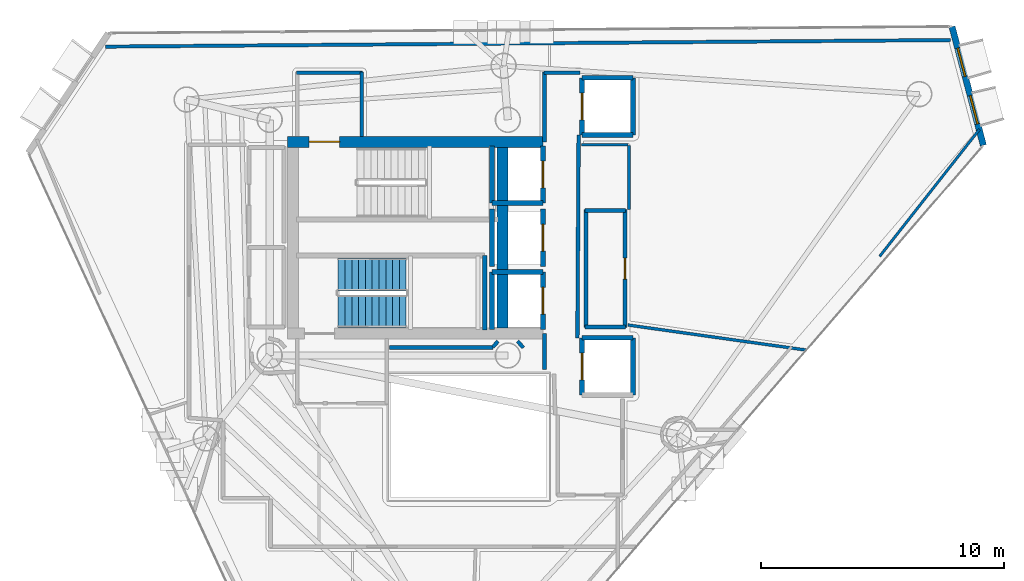
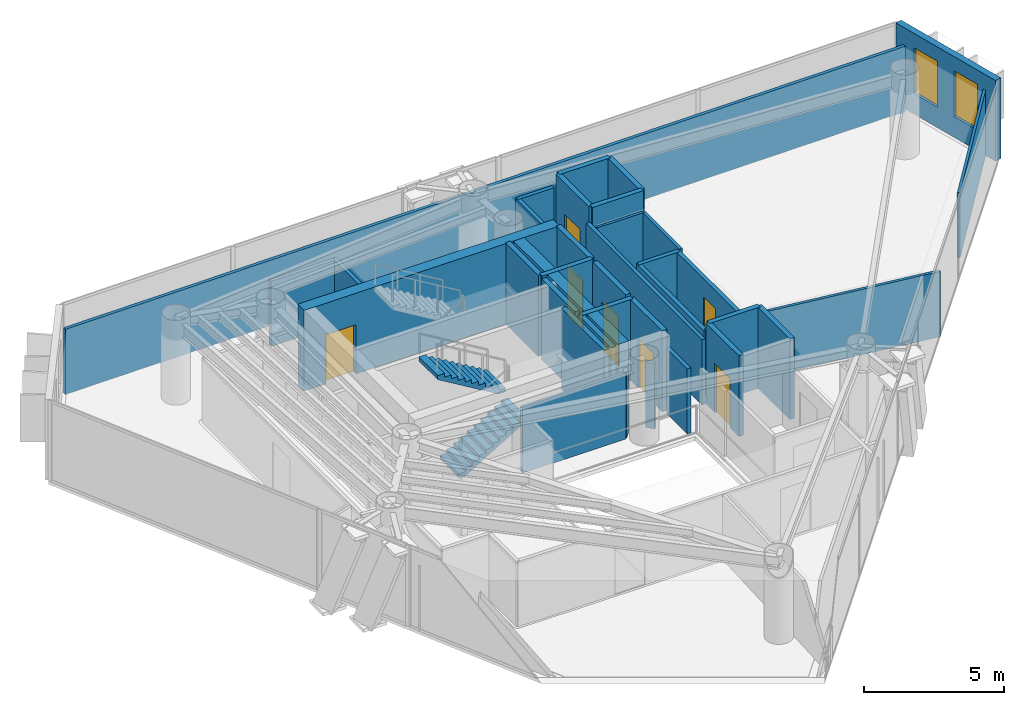
# One storey, part 16 of 21: 37 walls, 7 doors, 2 stair flights, 2 windows, 9 openings, 1 element without a shape of its own.
"""IFC4 building model written with IfcOpenShell, lengths in metres."""

import ifcopenshell
import ifcopenshell.guid

model = None  # the IFC model being written
_history = None  # IfcOwnerHistory: only IFC2X3 demands one
_inside = {}  # id of a spatial element -> (the spatial element, [elements in it])
_under = {}  # id of a project, library or spatial element -> (it, [spatial elements below it])
_declared = {}  # id of a project -> (the project, [libraries it declares])
_typed = {}  # id of a type object -> (the type object, [elements of that type])
_made_of = {}  # id of a material, layer set ... -> (it, [elements and type objects made of it])


def new_model(schema):
    """Start an empty IFC model of exactly this schema.

    Asked for "IFC4X3", IfcOpenShell would pick the latest addendum, in which some entities
    have other attributes; the version numbers below select the first issue.
    IFC2X3 requires an IfcOwnerHistory on every rooted entity: one is made here for all.
    """
    global model, _history
    if schema == "IFC4X3":
        model = ifcopenshell.file(schema_version=(4, 3, 0, 0))
    else:
        model = ifcopenshell.file(schema=schema)
    _inside.clear()
    _under.clear()
    _declared.clear()
    _typed.clear()
    _made_of.clear()
    _history = None
    if model.schema == "IFC2X3":
        org = make("IfcOrganization", Name="unknown")
        user = make(
            "IfcPersonAndOrganization",
            ThePerson=make("IfcPerson", FamilyName="unknown"),
            TheOrganization=org,
        )
        app = make(
            "IfcApplication",
            ApplicationDeveloper=org,
            Version="unknown",
            ApplicationFullName="unknown",
            ApplicationIdentifier="unknown",
        )
        _history = make(
            "IfcOwnerHistory",
            OwningUser=user,
            OwningApplication=app,
            ChangeAction="ADDED",
            CreationDate=0,
        )
    return model


def make(cls, **values):
    """One entity of the class cls with the attributes given. An attribute that is None is left unset."""
    return model.create_entity(
        cls, **{name: value for name, value in values.items() if value is not None}
    )


def rooted(cls, **values):
    """An entity with a GlobalId (a new one), such as an element, a storey or a relation."""
    return make(cls, GlobalId=ifcopenshell.guid.new(), OwnerHistory=_history, **values)


def si_unit(unit_type, name, prefix=None):
    """IfcSIUnit, for example si_unit("LENGTHUNIT", "METRE", prefix="MILLI")."""
    return make("IfcSIUnit", UnitType=unit_type, Prefix=prefix, Name=name)


def assignment(units):
    """IfcUnitAssignment: the units of a project."""
    return None if units is None else make("IfcUnitAssignment", Units=units)


def point(xyz):
    """IfcCartesianPoint."""
    return None if xyz is None else make("IfcCartesianPoint", Coordinates=xyz)


def direction(xyz):
    """IfcDirection."""
    return None if xyz is None else make("IfcDirection", DirectionRatios=xyz)


def frame(location, z_axis=None, x_axis=None):
    """IfcAxis2Placement3D, a coordinate frame: its origin and axes. An axis left out is left unset."""
    return make(
        "IfcAxis2Placement3D",
        Location=point(location),
        Axis=direction(z_axis),
        RefDirection=direction(x_axis),
    )


def frame_2d(location, x_axis=None):
    """IfcAxis2Placement2D, a coordinate frame in the plane: its origin and x axis."""
    return make(
        "IfcAxis2Placement2D", Location=point(location), RefDirection=direction(x_axis)
    )


def origin():
    """The frame at (0, 0, 0) with its axes left unset."""
    return frame((0.0, 0.0, 0.0))


def place(relative_to, where):
    """IfcLocalPlacement: puts the frame where relative to a parent placement (None: the world)."""
    return make(
        "IfcLocalPlacement", PlacementRelTo=relative_to, RelativePlacement=where
    )


def context(
    kind, dimensions, precision=None, world=None, true_north=None, identifier=None
):
    """IfcGeometricRepresentationContext, for example the 3D "Model" context."""
    return make(
        "IfcGeometricRepresentationContext",
        ContextIdentifier=identifier,
        ContextType=kind,
        CoordinateSpaceDimension=dimensions,
        Precision=precision,
        WorldCoordinateSystem=world,
        TrueNorth=true_north,
    )


def subcontext(parent, identifier, kind, view, scale=None):
    """IfcGeometricRepresentationSubContext, for example "Body" below "Model"."""
    return make(
        "IfcGeometricRepresentationSubContext",
        ContextIdentifier=identifier,
        ContextType=kind,
        ParentContext=parent,
        TargetScale=scale,
        TargetView=view,
    )


def project(units=None, contexts=None):
    """IfcProject with its units and contexts."""
    return rooted(
        "IfcProject",
        Name="project",
        RepresentationContexts=contexts,
        UnitsInContext=assignment(units),
    )


def spatial(cls, under=None, at=None, **own):
    """A site, building, storey or space (cls), placed at a placement, below another one or the project."""
    s = rooted(cls, ObjectPlacement=at, **own)
    if under is not None:
        _under.setdefault(under.id(), (under, []))[1].append(s)
    return s


def polyline(points):
    """IfcPolyline through the points."""
    return make("IfcPolyline", Points=[point(p) for p in points])


def profile(cls, at=None, kind="AREA", **sizes):
    """A parametric profile (cls). Its sizes go by their IFC names, for example OverallWidth=200.0."""
    return make(cls, ProfileType=kind, Position=at, **sizes)


def rectangle(**sizes):
    """IfcRectangleProfileDef."""
    return profile("IfcRectangleProfileDef", **sizes)


def outline(outer, holes=None, kind="AREA"):
    """IfcArbitraryClosedProfileDef: a profile drawn as a closed curve; with holes, ...WithVoids."""
    if holes is None:
        return make("IfcArbitraryClosedProfileDef", ProfileType=kind, OuterCurve=outer)
    return make(
        "IfcArbitraryProfileDefWithVoids",
        ProfileType=kind,
        OuterCurve=outer,
        InnerCurves=holes,
    )


def extrude(swept, where, along, depth):
    """IfcExtrudedAreaSolid: the profile swept, set in the frame where, extruded along a direction by depth."""
    return make(
        "IfcExtrudedAreaSolid",
        SweptArea=swept,
        Position=where,
        ExtrudedDirection=direction(along),
        Depth=depth,
    )


def shape(context_of_items, identifier, shape_type, items):
    """IfcShapeRepresentation: the items that make up one representation, for example the "Body"."""
    return make(
        "IfcShapeRepresentation",
        ContextOfItems=context_of_items,
        RepresentationIdentifier=identifier,
        RepresentationType=shape_type,
        Items=items,
    )


def material(Name=None, Category=None):
    """IfcMaterial."""
    return make("IfcMaterial", Name=Name, Category=Category)


def layer(
    of_material, thickness, ventilated=None, Name=None, Category=None, Priority=None
):
    """IfcMaterialLayer: one layer of a wall or slab, of a material (None: an air gap)."""
    return make(
        "IfcMaterialLayer",
        Material=of_material,
        LayerThickness=thickness,
        IsVentilated=ventilated,
        Name=Name,
        Category=Category,
        Priority=Priority,
    )


def layer_set(layers, Name=None):
    """IfcMaterialLayerSet."""
    return make("IfcMaterialLayerSet", MaterialLayers=layers, LayerSetName=Name)


def made_of(thing, what):
    """Note that an element or type object is made of a material, layer set ...; save() writes the relation."""
    if what is not None:
        _made_of.setdefault(what.id(), (what, []))[1].append(thing)
    return thing


def type_object(cls, material=None, **own):
    """A type object (cls), such as IfcWallType, which elements share."""
    return made_of(rooted(cls, **own), material)


def element(
    cls,
    number,
    at=None,
    inside=None,
    cuts=None,
    type_object=None,
    material=None,
    context=None,
    identifier="Body",
    shape_type=None,
    held_by="IfcProductDefinitionShape",
    body=None,
    shapes=None,
    **own,
):
    """One element of the class cls, such as IfcWall. Its Tag is "e" and its number.

    at: its placement. inside: the storey or other place that contains it. cuts: it is an
    opening in that element (IfcRelVoidsElement). A single representation is given by context,
    identifier, shape_type and body (its items); several are given by shapes. held_by: the class
    of the entity that holds the representations. save() writes the other relations.
    """
    e = rooted(cls, Tag="e%d" % number, ObjectPlacement=at, **own)
    if body is not None:
        shapes = [shape(context, identifier, shape_type, body)]
    if shapes is not None:
        e.Representation = make(held_by, Representations=shapes)
    if inside is not None:
        _inside.setdefault(inside.id(), (inside, []))[1].append(e)
    if cuts is not None:
        rooted(
            "IfcRelVoidsElement", RelatingBuildingElement=cuts, RelatedOpeningElement=e
        )
    if type_object is not None:
        _typed.setdefault(type_object.id(), (type_object, []))[1].append(e)
    return made_of(e, material)


def fill(opening, filler):
    """IfcRelFillsElement: the door or window that sits in an opening."""
    return rooted(
        "IfcRelFillsElement",
        RelatingOpeningElement=opening,
        RelatedBuildingElement=filler,
    )


def aggregate(whole, parts):
    """IfcRelAggregates: a whole, such as a stair, and the parts it consists of."""
    return rooted("IfcRelAggregates", RelatingObject=whole, RelatedObjects=parts)


def save(model, path):
    """Write the relations noted so far, then the file.

    IfcRelAggregates (storeys below a building ...), IfcRelContainedInSpatialStructure (elements
    in a storey), IfcRelDefinesByType, IfcRelAssociatesMaterial and IfcRelDeclares: one each for
    every whole, place, type object, material and project.
    """
    for whole, parts in _under.values():
        aggregate(whole, parts)
    for where, things in _inside.values():
        rooted(
            "IfcRelContainedInSpatialStructure",
            RelatedElements=things,
            RelatingStructure=where,
        )
    for kind, things in _typed.values():
        rooted("IfcRelDefinesByType", RelatedObjects=things, RelatingType=kind)
    for what, things in _made_of.values():
        rooted("IfcRelAssociatesMaterial", RelatedObjects=things, RelatingMaterial=what)
    for by, libraries in _declared.values():
        rooted("IfcRelDeclares", RelatingContext=by, RelatedDefinitions=libraries)
    model.write(path)


model = new_model("IFC4")

# Units and contexts
model_context = context("Model", 3, precision=1e-05, world=origin(), true_north=direction((0.0, 1.0)))
body_context = subcontext(model_context, "Body", "Model", "MODEL_VIEW")
ifc_project = project(units=[si_unit("LENGTHUNIT", "METRE"), si_unit("AREAUNIT", "SQUARE_METRE"), si_unit("VOLUMEUNIT", "CUBIC_METRE"), si_unit("PLANEANGLEUNIT", "RADIAN"), si_unit("MASSUNIT", "GRAM", prefix="KILO")], contexts=[model_context])

# Site, building, storey
site_placement = place(None, origin())
site = spatial("IfcSite", under=ifc_project, at=site_placement, CompositionType="ELEMENT")
building_placement = place(site_placement, origin())
building = spatial("IfcBuilding", under=site, at=building_placement, Name="Qianvela Tower", CompositionType="ELEMENT")
storey_placement = place(building_placement, frame((0.0, 0.0, 253.800048828125)))
storey = spatial("IfcBuildingStorey", under=building, at=storey_placement, Name="L65", CompositionType="ELEMENT", Elevation=253.800048828125)

# Wall, openings, windows
ifc_material_1 = material(Name="Terracotta Cladding on Concrete C40", Category="masonry")
ifc_layer_1 = layer(ifc_material_1, 0.260009765625)
ifc_layer_set_1 = layer_set([ifc_layer_1], Name="Terracotta Cladding on Concrete C40")
wall_type_1 = type_object("IfcWallType", Name="TERRACOTTA-WALL-260", PredefinedType="SOLIDWALL", material=ifc_layer_set_1)
wall_1_placement = place(storey_placement, frame((57.9697265625, 32.4990234375, 0.0), z_axis=(0.0, 0.0, 1.0), x_axis=(-0.255023735683, 0.966934793168, 0.0)))
wall_1 = element("IfcWall", 1, at=wall_1_placement, inside=storey, type_object=wall_type_1, Name="L65 Terracotta Chamfer Facet Wall 1", PredefinedType="SOLIDWALL", context=body_context, shape_type="SweptSolid", body=[
    extrude(rectangle(XDim=5.0517578125, YDim=0.260009765625, at=frame_2d((2.52587890625, 0.0))), origin(), (0.0, 0.0, 1.0), 3.52001953125),
])
opening_1_placement = place(wall_1_placement, frame((0.91552734375, 0.0, 0.89990234375)))
opening_1 = element("IfcOpeningElement", 2, at=opening_1_placement, cuts=wall_1, Name="Opening W-03", PredefinedType="OPENING", context=body_context, shape_type="SweptSolid", body=[
    extrude(rectangle(XDim=1.199951171875, YDim=2.0, at=frame_2d((0.60009765625, 1.0))), frame((0.0, 0.139892578125, 0.0), z_axis=(0.0, -1.0, 0.0), x_axis=(1.0, 0.0, 0.0)), (0.0, 0.0, 1.0), 0.280029296875),
])
opening_2_placement = place(wall_1_placement, frame((2.936279296875, 0.0, 0.89990234375)))
opening_2 = element("IfcOpeningElement", 3, at=opening_2_placement, cuts=wall_1, Name="Opening W-03", PredefinedType="OPENING", context=body_context, shape_type="SweptSolid", body=[
    extrude(rectangle(XDim=1.199951171875, YDim=2.0, at=frame_2d((0.60009765625, 1.0))), frame((0.0, 0.139892578125, 0.0), z_axis=(0.0, -1.0, 0.0), x_axis=(1.0, 0.0, 0.0)), (0.0, 0.0, 1.0), 0.280029296875),
])
ifc_material_2 = material(Name="Thermally Broken Aluminium and Low-E Glass", Category="aluminium")
window_type = type_object("IfcWindowType", Name="WIN-TC-1200x2000", PartitioningType="SINGLE_PANEL", PredefinedType="WINDOW", material=ifc_material_2)
window_1_placement = place(opening_1_placement, origin())
window_1 = element("IfcWindow", 4, at=window_1_placement, inside=storey, type_object=window_type, Name="L65 Chamfer Facet Window 1.1", OverallHeight=2.0, OverallWidth=1.199951171875, PartitioningType="SINGLE_PANEL", PredefinedType="WINDOW", context=body_context, shape_type="SweptSolid", body=[
    extrude(rectangle(XDim=1.199951171875, YDim=2.0, at=frame_2d((0.60009765625, 1.0))), frame((0.0, 0.030029296875, 0.0), z_axis=(0.0, -1.0, 0.0), x_axis=(1.0, 0.0, 0.0)), (0.0, 0.0, 1.0), 0.06005859375),
])
fill(opening_1, window_1)
window_2_placement = place(opening_2_placement, origin())
window_2 = element("IfcWindow", 5, at=window_2_placement, inside=storey, type_object=window_type, Name="L65 Chamfer Facet Window 1.2", OverallHeight=2.0, OverallWidth=1.199951171875, PartitioningType="SINGLE_PANEL", PredefinedType="WINDOW", context=body_context, shape_type="SweptSolid", body=[
    extrude(rectangle(XDim=1.199951171875, YDim=2.0, at=frame_2d((0.60009765625, 1.0))), frame((0.0, 0.030029296875, 0.0), z_axis=(0.0, -1.0, 0.0), x_axis=(1.0, 0.0, 0.0)), (0.0, 0.0, 1.0), 0.06005859375),
])
fill(opening_2, window_2)

# Wall, opening, door
ifc_material_3 = material(Name="Concrete C50", Category="concrete")
ifc_layer_2 = layer(ifc_material_3, 0.449951171875)
ifc_layer_set_2 = layer_set([ifc_layer_2], Name="Concrete C50")
wall_type_2 = type_object("IfcWallType", Name="WT-CORE-450", PredefinedType="SHEAR", material=ifc_layer_set_2)
wall_2_placement = place(storey_placement, frame((29.330078125, 32.64501953125, 0.0), z_axis=(0.0, 0.0, 1.0), x_axis=(1.0, 0.0, 0.0)))
wall_2 = element("IfcWall", 6, at=wall_2_placement, inside=storey, type_object=wall_type_2, Name="L65 North Core Shear Wall", PredefinedType="SHEAR", context=body_context, shape_type="SweptSolid", body=[
    extrude(rectangle(XDim=10.52001953125, YDim=0.449951171875, at=frame_2d((5.260009765625, 0.0))), origin(), (0.0, 0.0, 1.0), 3.52001953125),
])
opening_3_placement = place(wall_2_placement, frame((0.89501953125, 0.0, 0.0)))
opening_3 = element("IfcOpeningElement", 7, at=opening_3_placement, cuts=wall_2, Name="Opening D-ST1", PredefinedType="OPENING", context=body_context, shape_type="SweptSolid", body=[
    extrude(rectangle(XDim=1.25, YDim=2.14990234375, at=frame_2d((0.625, 1.074951171875))), frame((0.0, 0.23486328125, 0.0), z_axis=(0.0, -1.0, 0.0), x_axis=(1.0, 0.0, 0.0)), (0.0, 0.0, 1.0), 0.469970703125),
])
ifc_material_4 = material(Name="Galvanised Fire Steel Q355B", Category="steel")
door_type_1 = type_object("IfcDoorType", Name="DT-STAIR-FD90", OperationType="NOTDEFINED", PredefinedType="DOOR", material=ifc_material_4)
door_1_placement = place(opening_3_placement, origin())
door_1 = element("IfcDoor", 8, at=door_1_placement, inside=storey, type_object=door_type_1, Name="L65 Stair ST-1 Exit Door", OperationType="SINGLE_SWING_RIGHT", OverallHeight=2.14990234375, OverallWidth=1.25, PredefinedType="DOOR", context=body_context, shape_type="SweptSolid", body=[
    extrude(rectangle(XDim=1.25, YDim=2.14990234375, at=frame_2d((0.625, 1.074951171875))), frame((0.0, 0.02490234375, 0.0), z_axis=(0.0, -1.0, 0.0), x_axis=(1.0, 0.0, 0.0)), (0.0, 0.0, 1.0), 0.050048828125),
])
fill(opening_3, door_1)

# Walls
wall_3_placement = place(storey_placement, frame((38.179931640625, 24.97998046875, 0.0), z_axis=(0.0, 0.0, 1.0), x_axis=(0.0, 1.0, 0.0)))
element("IfcWall", 9, at=wall_3_placement, inside=storey, type_object=wall_type_2, Name="L65 East Spine Core Shear Wall", PredefinedType="SHEAR", context=body_context, shape_type="SweptSolid", body=[
    extrude(rectangle(XDim=7.43994140625, YDim=0.449951171875, at=frame_2d((3.719970703125, 0.0))), origin(), (0.0, 0.0, 1.0), 3.52001953125),
])
ifc_material_5 = material(Name="Fire-Rated Acoustic Gypsum Board")
ifc_layer_3 = layer(ifc_material_5, 0.14990234375)
ifc_layer_set_3 = layer_set([ifc_layer_3], Name="Fire-Rated Acoustic Gypsum Board")
wall_type_3 = type_object("IfcWallType", Name="WT-CORR-150", PredefinedType="PARTITIONING", material=ifc_layer_set_3)
wall_4_placement = place(storey_placement, frame((29.699951171875, 35.489013671875, 0.0), z_axis=(0.0, 0.0, 1.0), x_axis=(1.0, 0.0, 0.0)))
element("IfcWall", 10, at=wall_4_placement, inside=storey, type_object=wall_type_3, Name="L65 Partition 3", PredefinedType="PARTITIONING", context=body_context, shape_type="SweptSolid", body=[
    extrude(rectangle(XDim=2.719970703125, YDim=0.14990234375, at=frame_2d((1.35986328125, 0.0))), origin(), (0.0, 0.0, 1.0), 2.83984375),
])
wall_5_placement = place(storey_placement, frame((32.388916015625, 35.52001953125, 0.0), z_axis=(0.0, 0.0, 1.0), x_axis=(0.0, -1.0, 0.0)))
element("IfcWall", 11, at=wall_5_placement, inside=storey, type_object=wall_type_3, Name="L65 Partition 4", PredefinedType="PARTITIONING", context=body_context, shape_type="SweptSolid", body=[
    extrude(rectangle(XDim=2.662109375, YDim=0.14990234375, at=frame_2d((1.3310546875, 0.0))), origin(), (0.0, 0.0, 1.0), 2.83984375),
])
wall_6_placement = place(storey_placement, frame((39.910888671875, 23.280029296875, 0.0), z_axis=(0.0, 0.0, 1.0), x_axis=(0.0, 1.0, 0.0)))
element("IfcWall", 12, at=wall_6_placement, inside=storey, type_object=wall_type_3, Name="L65 Partition 10", PredefinedType="PARTITIONING", context=body_context, shape_type="SweptSolid", body=[
    extrude(rectangle(XDim=1.47998046875, YDim=0.14990234375, at=frame_2d((0.739990234375, 0.0))), origin(), (0.0, 0.0, 1.0), 2.83984375),
])
wall_7_placement = place(storey_placement, frame((39.910888671875, 32.639892578125, 0.0), z_axis=(0.0, 0.0, 1.0), x_axis=(0.0, 1.0, 0.0)))
element("IfcWall", 13, at=wall_7_placement, inside=storey, type_object=wall_type_3, Name="L65 Partition 12", PredefinedType="PARTITIONING", context=body_context, shape_type="SweptSolid", body=[
    extrude(rectangle(XDim=2.880126953125, YDim=0.14990234375, at=frame_2d((1.43994140625, 0.0))), origin(), (0.0, 0.0, 1.0), 2.83984375),
])
wall_8_placement = place(storey_placement, frame((39.8798828125, 35.489013671875, 0.0), z_axis=(0.0, 0.0, 1.0), x_axis=(1.0, 0.0, 0.0)))
element("IfcWall", 14, at=wall_8_placement, inside=storey, type_object=wall_type_3, Name="L65 Partition 13", PredefinedType="PARTITIONING", context=body_context, shape_type="SweptSolid", body=[
    extrude(rectangle(XDim=1.480224609375, YDim=0.14990234375, at=frame_2d((0.740234375, 0.0))), origin(), (0.0, 0.0, 1.0), 2.83984375),
])
wall_9_placement = place(storey_placement, frame((41.3134765625, 32.919921875, 0.0), z_axis=(0.0, 0.0, 1.0), x_axis=(-0.005942518022, -0.999982343084, 0.0)))
element("IfcWall", 15, at=wall_9_placement, inside=storey, type_object=wall_type_3, Name="L65 Partition 14 seg 2", PredefinedType="PARTITIONING", context=body_context, shape_type="SweptSolid", body=[
    extrude(rectangle(XDim=8.340087890625, YDim=0.14990234375, at=frame_2d((4.169921875, 0.0))), origin(), (0.0, 0.0, 1.0), 2.83984375),
])
wall_10_placement = place(storey_placement, frame((39.0361328125, 24.170166015625, 0.0), z_axis=(0.0, 0.0, 1.0), x_axis=(-0.652260263346, 0.757995084984, 0.0)))
element("IfcWall", 16, at=wall_10_placement, inside=storey, type_object=wall_type_3, Name="L65 Partition 45", PredefinedType="PARTITIONING", context=body_context, shape_type="SweptSolid", body=[
    extrude(rectangle(XDim=0.35546875, YDim=0.14990234375, at=frame_2d((0.177734375, 0.0))), origin(), (0.0, 0.0, 1.0), 2.83984375),
])
wall_11_placement = place(storey_placement, frame((37.995849609375, 24.439697265625, 0.0), z_axis=(0.0, 0.0, 1.0), x_axis=(-0.652425645794, -0.757852740782, 0.0)))
element("IfcWall", 17, at=wall_11_placement, inside=storey, type_object=wall_type_3, Name="L65 Partition 48", PredefinedType="PARTITIONING", context=body_context, shape_type="SweptSolid", body=[
    extrude(rectangle(XDim=0.319580078125, YDim=0.14990234375, at=frame_2d((0.15966796875, 0.0))), origin(), (0.0, 0.0, 1.0), 2.83984375),
])
wall_12_placement = place(storey_placement, frame((37.787353515625, 24.180908203125, 0.0), z_axis=(0.0, 0.0, 1.0), x_axis=(-1.0, 0.0, 0.0)))
element("IfcWall", 18, at=wall_12_placement, inside=storey, type_object=wall_type_3, Name="L65 Partition 49", PredefinedType="PARTITIONING", context=body_context, shape_type="SweptSolid", body=[
    extrude(rectangle(XDim=4.25732421875, YDim=0.14990234375, at=frame_2d((2.128662109375, 0.0))), origin(), (0.0, 0.0, 1.0), 2.83984375),
])
ifc_material_6 = material(Name="Lightweight Gypsum Room Partition")
ifc_layer_4 = layer(ifc_material_6, 0.10498046875)
ifc_layer_set_4 = layer_set([ifc_layer_4], Name="Lightweight Gypsum Room Partition")
wall_type_4 = type_object("IfcWallType", Name="WT-PART-105", PredefinedType="PARTITIONING", material=ifc_layer_set_4)
wall_13_placement = place(storey_placement, frame((57.8125, 33.159912109375, 0.0), z_axis=(0.0, 0.0, 1.0), x_axis=(-0.617935019534, -0.786229172464, 0.0)))
element("IfcWall", 19, at=wall_13_placement, inside=storey, type_object=wall_type_4, Name="L65 Partition 101 seg 1", PredefinedType="PARTITIONING", context=body_context, shape_type="SweptSolid", body=[
    extrude(rectangle(XDim=6.6513671875, YDim=0.10498046875, at=frame_2d((3.32568359375, 0.0))), origin(), (0.0, 0.0, 1.0), 2.83984375),
])
wall_14_placement = place(storey_placement, frame((43.35009765625, 32.531005859375, 0.0), z_axis=(0.0, 0.0, 1.0), x_axis=(-1.0, 0.0, 0.0)))
element("IfcWall", 20, at=wall_14_placement, inside=storey, type_object=wall_type_4, Name="L65 Partition 104", PredefinedType="PARTITIONING", context=body_context, shape_type="SweptSolid", body=[
    extrude(rectangle(XDim=1.91015625, YDim=0.10498046875, at=frame_2d((0.955078125, 0.0))), origin(), (0.0, 0.0, 1.0), 2.83984375),
])
ifc_material_7 = material(Name="Insulated Gypsum Stud Partition")
ifc_layer_5 = layer(ifc_material_7, 0.1201171875)
ifc_layer_set_5 = layer_set([ifc_layer_5], Name="Insulated Gypsum Stud Partition")
wall_type_5 = type_object("IfcWallType", Name="WT-PART-120", PredefinedType="PARTITIONING", material=ifc_layer_set_5)
wall_15_placement = place(storey_placement, frame((43.345703125, 25.104736328125, 0.0), z_axis=(0.0, 0.0, 1.0), x_axis=(0.990268892061, -0.139167242611, 0.0)))
element("IfcWall", 21, at=wall_15_placement, inside=storey, type_object=wall_type_5, Name="L65 Partition 82", PredefinedType="PARTITIONING", context=body_context, shape_type="SweptSolid", body=[
    extrude(rectangle(XDim=7.43115234375, YDim=0.1201171875, at=frame_2d((3.715576171875, 0.0))), origin(), (0.0, 0.0, 1.0), 2.83984375),
])
wall_16_placement = place(storey_placement, frame((43.381103515625, 29.85009765625, 0.0), z_axis=(0.0, 0.0, 1.0), x_axis=(0.0, 1.0, 0.0)))
element("IfcWall", 22, at=wall_16_placement, inside=storey, type_object=wall_type_5, Name="L65 Partition 103 seg 1", PredefinedType="PARTITIONING", context=body_context, shape_type="SweptSolid", body=[
    extrude(rectangle(XDim=2.64990234375, YDim=0.1201171875, at=frame_2d((1.324951171875, 0.0))), origin(), (0.0, 0.0, 1.0), 2.83984375),
])
ifc_material_8 = material(Name="Sanitary Service Chase Partition")
ifc_layer_6 = layer(ifc_material_8, 0.1650390625)
ifc_layer_set_6 = layer_set([ifc_layer_6], Name="Sanitary Service Chase Partition")
wall_type_6 = type_object("IfcWallType", Name="WT-PLUMB-165", PredefinedType="PLUMBINGWALL", material=ifc_layer_set_6)
wall_17_placement = place(storey_placement, frame((43.25, 25.031005859375, 0.0), z_axis=(0.0, 0.0, 1.0), x_axis=(-1.0, 0.0, 0.0)))
element("IfcWall", 23, at=wall_17_placement, inside=storey, type_object=wall_type_6, Name="L65 Partition 19", PredefinedType="PLUMBINGWALL", context=body_context, shape_type="SweptSolid", body=[
    extrude(rectangle(XDim=1.669921875, YDim=0.1650390625, at=frame_2d((0.8349609375, 0.0))), origin(), (0.0, 0.0, 1.0), 2.83984375),
])
wall_18_placement = place(storey_placement, frame((41.611083984375, 25.0, 0.0), z_axis=(0.0, 0.0, 1.0), x_axis=(0.0, 1.0, 0.0)))
element("IfcWall", 24, at=wall_18_placement, inside=storey, type_object=wall_type_6, Name="L65 Partition 20", PredefinedType="PLUMBINGWALL", context=body_context, shape_type="SweptSolid", body=[
    extrude(rectangle(XDim=4.85009765625, YDim=0.1650390625, at=frame_2d((2.425048828125, 0.0))), origin(), (0.0, 0.0, 1.0), 2.83984375),
])
wall_19_placement = place(storey_placement, frame((41.580078125, 29.819091796875, 0.0), z_axis=(0.0, 0.0, 1.0), x_axis=(1.0, 0.0, 0.0)))
element("IfcWall", 25, at=wall_19_placement, inside=storey, type_object=wall_type_6, Name="L65 Partition 21", PredefinedType="PLUMBINGWALL", context=body_context, shape_type="SweptSolid", body=[
    extrude(rectangle(XDim=1.669921875, YDim=0.1650390625, at=frame_2d((0.8349609375, 0.0))), origin(), (0.0, 0.0, 1.0), 2.83984375),
])

# Wall, opening, door
wall_20_placement = place(storey_placement, frame((43.218994140625, 29.85009765625, 0.0), z_axis=(0.0, 0.0, 1.0), x_axis=(0.0, -1.0, 0.0)))
wall_20 = element("IfcWall", 26, at=wall_20_placement, inside=storey, type_object=wall_type_6, Name="L65 Partition 22", PredefinedType="PLUMBINGWALL", context=body_context, shape_type="SweptSolid", body=[
    extrude(rectangle(XDim=4.85009765625, YDim=0.1650390625, at=frame_2d((2.425048828125, 0.0))), origin(), (0.0, 0.0, 1.0), 2.83984375),
])
opening_4_placement = place(wall_20_placement, frame((1.9951171875, 0.0, 0.0)))
opening_4 = element("IfcOpeningElement", 27, at=opening_4_placement, cuts=wall_20, Name="Opening D-WC1", PredefinedType="OPENING", context=body_context, shape_type="SweptSolid", body=[
    extrude(rectangle(XDim=0.860107421875, YDim=2.050048828125, at=frame_2d((0.43017578125, 1.02490234375))), frame((0.0, 0.092529296875, 0.0), z_axis=(0.0, -1.0, 0.0), x_axis=(1.0, 0.0, 0.0)), (0.0, 0.0, 1.0), 0.18505859375),
])
ifc_material_9 = material(Name="Moisture-Sealed Acoustic Timber Door", Category="wood")
door_type_2 = type_object("IfcDoorType", Name="DT-WC-860", OperationType="NOTDEFINED", PredefinedType="DOOR", material=ifc_material_9)
door_2_placement = place(opening_4_placement, origin())
door_2 = element("IfcDoor", 28, at=door_2_placement, inside=storey, type_object=door_type_2, Name="L65 Door L65 Accessible WC to Print Copy Kiosk L65-04", OperationType="SINGLE_SWING_LEFT", OverallHeight=2.050048828125, OverallWidth=0.860107421875, PredefinedType="DOOR", context=body_context, shape_type="SweptSolid", body=[
    extrude(rectangle(XDim=0.860107421875, YDim=2.050048828125, at=frame_2d((0.43017578125, 1.02490234375))), frame((0.0, 0.02490234375, 0.0), z_axis=(0.0, -1.0, 0.0), x_axis=(1.0, 0.0, 0.0)), (0.0, 0.0, 1.0), 0.050048828125),
])
fill(opening_4, door_2)

# Walls
ifc_material_10 = material(Name="Acoustic Double Gypsum Stud Partition")
ifc_layer_7 = layer(ifc_material_10, 0.139892578125)
ifc_layer_set_7 = layer_set([ifc_layer_7], Name="Acoustic Double Gypsum Stud Partition")
wall_type_7 = type_object("IfcWallType", Name="WT-ROOM-140", PredefinedType="PARTITIONING", material=ifc_layer_set_7)
wall_21_placement = place(storey_placement, frame((21.85302734375, 36.56103515625, 0.0), z_axis=(0.0, 0.0, 1.0), x_axis=(0.999969554507, 0.007803208298, 0.0)))
element("IfcWall", 29, at=wall_21_placement, inside=storey, type_object=wall_type_7, Name="L65 Partition 99", PredefinedType="PARTITIONING", context=body_context, shape_type="SweptSolid", body=[
    extrude(rectangle(XDim=34.760009765625, YDim=0.139892578125, at=frame_2d((17.3798828125, 0.0))), origin(), (0.0, 0.0, 1.0), 2.83984375),
])
ifc_material_11 = material(Name="Concrete C50", Category="concrete")
ifc_layer_8 = layer(ifc_material_11, 0.199951171875)
ifc_layer_set_8 = layer_set([ifc_layer_8], Name="Concrete C50")
wall_type_8 = type_object("IfcWallType", Name="WT-SHAFT-200", PredefinedType="SOLIDWALL", material=ifc_layer_set_8)
wall_22_placement = place(storey_placement, frame((37.449951171875, 24.89990234375, 0.0), z_axis=(0.0, 0.0, 1.0), x_axis=(0.0, 1.0, 0.0)))
element("IfcWall", 30, at=wall_22_placement, inside=storey, type_object=wall_type_8, Name="L65 Stair ST-2 East Wall", PredefinedType="SOLIDWALL", context=body_context, shape_type="SweptSolid", body=[
    extrude(rectangle(XDim=3.06005859375, YDim=0.199951171875, at=frame_2d((1.530029296875, 0.0))), origin(), (0.0, 0.0, 1.0), 3.52001953125),
])

# Wall, opening, door
wall_23_placement = place(storey_placement, frame((39.85009765625, 30.1201171875, 0.0), z_axis=(0.0, 0.0, 1.0), x_axis=(0.0, 1.0, 0.0)))
wall_23 = element("IfcWall", 31, at=wall_23_placement, inside=storey, type_object=wall_type_8, Name="L65 Lift FL-1 E Shaft Wall", PredefinedType="SOLIDWALL", context=body_context, shape_type="SweptSolid", body=[
    extrude(rectangle(XDim=2.35986328125, YDim=0.199951171875, at=frame_2d((1.179931640625, 0.0))), origin(), (0.0, 0.0, 1.0), 3.52001953125),
])
opening_5_placement = place(wall_23_placement, frame((0.6298828125, 0.0, 0.0)))
opening_5 = element("IfcOpeningElement", 32, at=opening_5_placement, cuts=wall_23, Name="Opening LD-01", PredefinedType="OPENING", context=body_context, shape_type="SweptSolid", body=[
    extrude(rectangle(XDim=1.10009765625, YDim=2.14990234375, at=frame_2d((0.550048828125, 1.074951171875))), frame((0.0, 0.10986328125, 0.0), z_axis=(0.0, -1.0, 0.0), x_axis=(1.0, 0.0, 0.0)), (0.0, 0.0, 1.0), 0.219970703125),
])
ifc_material_12 = material(Name="Brushed Stainless Steel Lift Landing Door", Category="steel")
door_type_3 = type_object("IfcDoorType", Name="DT-LIFT-SLIDE-1100", OperationType="SLIDING_TO_LEFT", PredefinedType="DOOR", material=ifc_material_12)
door_3_placement = place(opening_5_placement, origin())
door_3 = element("IfcDoor", 33, at=door_3_placement, inside=storey, type_object=door_type_3, Name="L65 Lift FL-1 Sliding Landing Door", OperationType="SLIDING_TO_LEFT", OverallHeight=2.14990234375, OverallWidth=1.10009765625, PredefinedType="DOOR", context=body_context, shape_type="SweptSolid", body=[
    extrude(rectangle(XDim=1.10009765625, YDim=2.14990234375, at=frame_2d((0.550048828125, 1.074951171875))), frame((0.0, 0.02490234375, 0.0), z_axis=(0.0, -1.0, 0.0), x_axis=(1.0, 0.0, 0.0)), (0.0, 0.0, 1.0), 0.050048828125),
])
fill(opening_5, door_3)

# Walls
wall_24_placement = place(storey_placement, frame((37.75, 30.1201171875, 0.0), z_axis=(0.0, 0.0, 1.0), x_axis=(0.0, 1.0, 0.0)))
element("IfcWall", 34, at=wall_24_placement, inside=storey, type_object=wall_type_8, Name="L65 Lift FL-1 W Shaft Wall", PredefinedType="SOLIDWALL", context=body_context, shape_type="SweptSolid", body=[
    extrude(rectangle(XDim=2.35986328125, YDim=0.199951171875, at=frame_2d((1.179931640625, 0.0))), origin(), (0.0, 0.0, 1.0), 3.52001953125),
])
wall_25_placement = place(storey_placement, frame((37.75, 30.1201171875, 0.0), z_axis=(0.0, 0.0, 1.0), x_axis=(1.0, 0.0, 0.0)))
element("IfcWall", 35, at=wall_25_placement, inside=storey, type_object=wall_type_8, Name="L65 Lift FL-1 S Shaft Wall", PredefinedType="SOLIDWALL", context=body_context, shape_type="SweptSolid", body=[
    extrude(rectangle(XDim=2.10009765625, YDim=0.199951171875, at=frame_2d((1.050048828125, 0.0))), origin(), (0.0, 0.0, 1.0), 3.52001953125),
])

# Wall, opening, door
wall_26_placement = place(storey_placement, frame((39.85009765625, 24.919921875, 0.0), z_axis=(0.0, 0.0, 1.0), x_axis=(0.0, 1.0, 0.0)))
wall_26 = element("IfcWall", 36, at=wall_26_placement, inside=storey, type_object=wall_type_8, Name="L65 Lift FL-2 E Shaft Wall", PredefinedType="SOLIDWALL", context=body_context, shape_type="SweptSolid", body=[
    extrude(rectangle(XDim=2.360107421875, YDim=0.199951171875, at=frame_2d((1.18017578125, 0.0))), origin(), (0.0, 0.0, 1.0), 3.52001953125),
])
opening_6_placement = place(wall_26_placement, frame((0.6298828125, 0.0, 0.0)))
opening_6 = element("IfcOpeningElement", 37, at=opening_6_placement, cuts=wall_26, Name="Opening LD-01", PredefinedType="OPENING", context=body_context, shape_type="SweptSolid", body=[
    extrude(rectangle(XDim=1.10009765625, YDim=2.14990234375, at=frame_2d((0.550048828125, 1.074951171875))), frame((0.0, 0.10986328125, 0.0), z_axis=(0.0, -1.0, 0.0), x_axis=(1.0, 0.0, 0.0)), (0.0, 0.0, 1.0), 0.219970703125),
])
door_4_placement = place(opening_6_placement, origin())
door_4 = element("IfcDoor", 38, at=door_4_placement, inside=storey, type_object=door_type_3, Name="L65 Lift FL-2 Sliding Landing Door", OperationType="SLIDING_TO_LEFT", OverallHeight=2.14990234375, OverallWidth=1.10009765625, PredefinedType="DOOR", context=body_context, shape_type="SweptSolid", body=[
    extrude(rectangle(XDim=1.10009765625, YDim=2.14990234375, at=frame_2d((0.550048828125, 1.074951171875))), frame((0.0, 0.02490234375, 0.0), z_axis=(0.0, -1.0, 0.0), x_axis=(1.0, 0.0, 0.0)), (0.0, 0.0, 1.0), 0.050048828125),
])
fill(opening_6, door_4)

# Walls
wall_27_placement = place(storey_placement, frame((37.75, 24.919921875, 0.0), z_axis=(0.0, 0.0, 1.0), x_axis=(0.0, 1.0, 0.0)))
element("IfcWall", 39, at=wall_27_placement, inside=storey, type_object=wall_type_8, Name="L65 Lift FL-2 W Shaft Wall", PredefinedType="SOLIDWALL", context=body_context, shape_type="SweptSolid", body=[
    extrude(rectangle(XDim=2.360107421875, YDim=0.199951171875, at=frame_2d((1.18017578125, 0.0))), origin(), (0.0, 0.0, 1.0), 3.52001953125),
])
wall_28_placement = place(storey_placement, frame((37.75, 27.280029296875, 0.0), z_axis=(0.0, 0.0, 1.0), x_axis=(1.0, 0.0, 0.0)))
element("IfcWall", 40, at=wall_28_placement, inside=storey, type_object=wall_type_8, Name="L65 Lift FL-2 N Shaft Wall", PredefinedType="SOLIDWALL", context=body_context, shape_type="SweptSolid", body=[
    extrude(rectangle(XDim=2.10009765625, YDim=0.199951171875, at=frame_2d((1.050048828125, 0.0))), origin(), (0.0, 0.0, 1.0), 3.52001953125),
])

# Wall, opening, door
wall_29_placement = place(storey_placement, frame((39.85009765625, 27.52001953125, 0.0), z_axis=(0.0, 0.0, 1.0), x_axis=(0.0, 1.0, 0.0)))
wall_29 = element("IfcWall", 41, at=wall_29_placement, inside=storey, type_object=wall_type_8, Name="L65 Lift PL-H1 E Shaft Wall", PredefinedType="SOLIDWALL", context=body_context, shape_type="SweptSolid", body=[
    extrude(rectangle(XDim=2.35986328125, YDim=0.199951171875, at=frame_2d((1.179931640625, 0.0))), origin(), (0.0, 0.0, 1.0), 3.52001953125),
])
opening_7_placement = place(wall_29_placement, frame((0.6298828125, 0.0, 0.0)))
opening_7 = element("IfcOpeningElement", 42, at=opening_7_placement, cuts=wall_29, Name="Opening LD-01", PredefinedType="OPENING", context=body_context, shape_type="SweptSolid", body=[
    extrude(rectangle(XDim=1.10009765625, YDim=2.14990234375, at=frame_2d((0.550048828125, 1.074951171875))), frame((0.0, 0.10986328125, 0.0), z_axis=(0.0, -1.0, 0.0), x_axis=(1.0, 0.0, 0.0)), (0.0, 0.0, 1.0), 0.219970703125),
])
door_5_placement = place(opening_7_placement, origin())
door_5 = element("IfcDoor", 43, at=door_5_placement, inside=storey, type_object=door_type_3, Name="L65 Lift PL-H1 Sliding Landing Door", OperationType="SLIDING_TO_LEFT", OverallHeight=2.14990234375, OverallWidth=1.10009765625, PredefinedType="DOOR", context=body_context, shape_type="SweptSolid", body=[
    extrude(rectangle(XDim=1.10009765625, YDim=2.14990234375, at=frame_2d((0.550048828125, 1.074951171875))), frame((0.0, 0.02490234375, 0.0), z_axis=(0.0, -1.0, 0.0), x_axis=(1.0, 0.0, 0.0)), (0.0, 0.0, 1.0), 0.050048828125),
])
fill(opening_7, door_5)

# Walls
wall_30_placement = place(storey_placement, frame((37.75, 27.52001953125, 0.0), z_axis=(0.0, 0.0, 1.0), x_axis=(0.0, 1.0, 0.0)))
element("IfcWall", 44, at=wall_30_placement, inside=storey, type_object=wall_type_8, Name="L65 Lift PL-H1 W Shaft Wall", PredefinedType="SOLIDWALL", context=body_context, shape_type="SweptSolid", body=[
    extrude(rectangle(XDim=2.35986328125, YDim=0.199951171875, at=frame_2d((1.179931640625, 0.0))), origin(), (0.0, 0.0, 1.0), 3.52001953125),
])
wall_31_placement = place(storey_placement, frame((43.550048828125, 22.219970703125, 0.0), z_axis=(0.0, 0.0, 1.0), x_axis=(0.0, 1.0, 0.0)))
element("IfcWall", 45, at=wall_31_placement, inside=storey, type_object=wall_type_8, Name="L65 Lift PL-H2 E Shaft Wall", PredefinedType="SOLIDWALL", context=body_context, shape_type="SweptSolid", body=[
    extrude(rectangle(XDim=2.360107421875, YDim=0.199951171875, at=frame_2d((1.18017578125, 0.0))), origin(), (0.0, 0.0, 1.0), 3.52001953125),
])

# Wall, opening, door
wall_32_placement = place(storey_placement, frame((41.449951171875, 22.219970703125, 0.0), z_axis=(0.0, 0.0, 1.0), x_axis=(0.0, 1.0, 0.0)))
wall_32 = element("IfcWall", 46, at=wall_32_placement, inside=storey, type_object=wall_type_8, Name="L65 Lift PL-H2 W Shaft Wall", PredefinedType="SOLIDWALL", context=body_context, shape_type="SweptSolid", body=[
    extrude(rectangle(XDim=2.360107421875, YDim=0.199951171875, at=frame_2d((1.18017578125, 0.0))), origin(), (0.0, 0.0, 1.0), 3.52001953125),
])
opening_8_placement = place(wall_32_placement, frame((0.6298828125, 0.0, 0.0)))
opening_8 = element("IfcOpeningElement", 47, at=opening_8_placement, cuts=wall_32, Name="Opening LD-01", PredefinedType="OPENING", context=body_context, shape_type="SweptSolid", body=[
    extrude(rectangle(XDim=1.10009765625, YDim=2.14990234375, at=frame_2d((0.550048828125, 1.074951171875))), frame((0.0, 0.10986328125, 0.0), z_axis=(0.0, -1.0, 0.0), x_axis=(1.0, 0.0, 0.0)), (0.0, 0.0, 1.0), 0.219970703125),
])
door_6_placement = place(opening_8_placement, origin())
door_6 = element("IfcDoor", 48, at=door_6_placement, inside=storey, type_object=door_type_3, Name="L65 Lift PL-H2 Sliding Landing Door", OperationType="SLIDING_TO_LEFT", OverallHeight=2.14990234375, OverallWidth=1.10009765625, PredefinedType="DOOR", context=body_context, shape_type="SweptSolid", body=[
    extrude(rectangle(XDim=1.10009765625, YDim=2.14990234375, at=frame_2d((0.550048828125, 1.074951171875))), frame((0.0, 0.02490234375, 0.0), z_axis=(0.0, -1.0, 0.0), x_axis=(1.0, 0.0, 0.0)), (0.0, 0.0, 1.0), 0.050048828125),
])
fill(opening_8, door_6)

# Walls
wall_33_placement = place(storey_placement, frame((41.449951171875, 24.580078125, 0.0), z_axis=(0.0, 0.0, 1.0), x_axis=(1.0, 0.0, 0.0)))
element("IfcWall", 49, at=wall_33_placement, inside=storey, type_object=wall_type_8, Name="L65 Lift PL-H2 N Shaft Wall", PredefinedType="SOLIDWALL", context=body_context, shape_type="SweptSolid", body=[
    extrude(rectangle(XDim=2.10009765625, YDim=0.199951171875, at=frame_2d((1.050048828125, 0.0))), origin(), (0.0, 0.0, 1.0), 3.52001953125),
])
wall_34_placement = place(storey_placement, frame((43.550048828125, 32.919921875, 0.0), z_axis=(0.0, 0.0, 1.0), x_axis=(0.0, 1.0, 0.0)))
element("IfcWall", 50, at=wall_34_placement, inside=storey, type_object=wall_type_8, Name="L65 Lift PL-H3 E Shaft Wall", PredefinedType="SOLIDWALL", context=body_context, shape_type="SweptSolid", body=[
    extrude(rectangle(XDim=2.360107421875, YDim=0.199951171875, at=frame_2d((1.18017578125, 0.0))), origin(), (0.0, 0.0, 1.0), 3.52001953125),
])

# Wall, opening, door
wall_35_placement = place(storey_placement, frame((41.449951171875, 32.919921875, 0.0), z_axis=(0.0, 0.0, 1.0), x_axis=(0.0, 1.0, 0.0)))
wall_35 = element("IfcWall", 51, at=wall_35_placement, inside=storey, type_object=wall_type_8, Name="L65 Lift PL-H3 W Shaft Wall", PredefinedType="SOLIDWALL", context=body_context, shape_type="SweptSolid", body=[
    extrude(rectangle(XDim=2.360107421875, YDim=0.199951171875, at=frame_2d((1.18017578125, 0.0))), origin(), (0.0, 0.0, 1.0), 3.52001953125),
])
opening_9_placement = place(wall_35_placement, frame((0.6298828125, 0.0, 0.0)))
opening_9 = element("IfcOpeningElement", 52, at=opening_9_placement, cuts=wall_35, Name="Opening LD-01", PredefinedType="OPENING", context=body_context, shape_type="SweptSolid", body=[
    extrude(rectangle(XDim=1.10009765625, YDim=2.14990234375, at=frame_2d((0.550048828125, 1.074951171875))), frame((0.0, 0.10986328125, 0.0), z_axis=(0.0, -1.0, 0.0), x_axis=(1.0, 0.0, 0.0)), (0.0, 0.0, 1.0), 0.219970703125),
])
door_7_placement = place(opening_9_placement, origin())
door_7 = element("IfcDoor", 53, at=door_7_placement, inside=storey, type_object=door_type_3, Name="L65 Lift PL-H3 Sliding Landing Door", OperationType="SLIDING_TO_LEFT", OverallHeight=2.14990234375, OverallWidth=1.10009765625, PredefinedType="DOOR", context=body_context, shape_type="SweptSolid", body=[
    extrude(rectangle(XDim=1.10009765625, YDim=2.14990234375, at=frame_2d((0.550048828125, 1.074951171875))), frame((0.0, 0.02490234375, 0.0), z_axis=(0.0, -1.0, 0.0), x_axis=(1.0, 0.0, 0.0)), (0.0, 0.0, 1.0), 0.050048828125),
])
fill(opening_9, door_7)

# Walls
for number, where, z_axis, x_axis, name in (
    (54, (41.449951171875, 35.280029296875, 0.0), (0.0, 0.0, 1.0), (1.0, 0.0, 0.0), "L65 Lift PL-H3 N Shaft Wall"),
    (55, (41.449951171875, 32.919921875, 0.0), (0.0, 0.0, 1.0), (1.0, 0.0, 0.0), "L65 Lift PL-H3 S Shaft Wall"),
):
    element("IfcWall", number, at=place(storey_placement, frame(where, z_axis=z_axis, x_axis=x_axis)), inside=storey, type_object=wall_type_8, Name=name, PredefinedType="SOLIDWALL", context=body_context, shape_type="SweptSolid", body=[
        extrude(rectangle(XDim=2.10009765625, YDim=0.199951171875, at=frame_2d((1.050048828125, 0.0))), origin(), (0.0, 0.0, 1.0), 3.52001953125),
    ])

# Stair, stair flights
ifc_material_13 = material(Name="Concrete C40", Category="concrete")
stair_type = type_object("IfcStairType", Name="ST-DOGLEG-1350-R168-N22", PredefinedType="HALF_TURN_STAIR", material=ifc_material_13)
stair_placement = place(storey_placement, origin())
stair = element("IfcStair", 56, at=stair_placement, inside=storey, type_object=stair_type, Name="L65 Smoke-Proof Core Stair ST-2", PredefinedType="HALF_TURN_STAIR")
ifc_material_14 = material(Name="Concrete C40", Category="concrete")
stair_flight_type = type_object("IfcStairFlightType", Name="STF-STRAIGHT-R168-P11", PredefinedType="STRAIGHT", material=ifc_material_14)
stair_flight_1_placement = place(storey_placement, frame((31.419921875, 25.675048828125, 0.0), z_axis=(0.0, 0.0, 1.0), x_axis=(1.0, 0.0, 0.0)))
stair_flight_1 = element("IfcStairFlight", 57, at=stair_flight_1_placement, type_object=stair_flight_type, Name="ST-2 flight 1", NumberOfRisers=11, NumberOfTreads=10, PredefinedType="STRAIGHT", RiserHeight=0.168181818, TreadLength=0.28, context=body_context, shape_type="SweptSolid", body=[
    extrude(outline(polyline([(0.0, 0.0), (0.0, 0.168212890625), (0.280029296875, 0.168212890625), (0.280029296875, 0.33642578125), (0.56005859375, 0.33642578125), (0.56005859375, 0.504638671875), (0.840087890625, 0.504638671875), (0.840087890625, 0.672607421875), (1.1201171875, 0.672607421875), (1.1201171875, 0.8408203125), (1.39990234375, 0.8408203125), (1.39990234375, 1.009033203125), (1.679931640625, 1.009033203125), (1.679931640625, 1.17724609375), (1.9599609375, 1.17724609375), (1.9599609375, 1.345458984375), (2.239990234375, 1.345458984375), (2.239990234375, 1.513671875), (2.52001953125, 1.513671875), (2.52001953125, 1.681884765625), (2.800048828125, 1.681884765625), (2.800048828125, 1.85009765625), (2.800048828125, 1.5068359375), (0.291015625, 0.0), (0.0, 0.0)])), frame((0.0, 0.675048828125, 0.0), z_axis=(0.0, -1.0, 0.0), x_axis=(1.0, 0.0, 0.0)), (0.0, 0.0, 1.0), 1.35009765625),
])
stair_flight_2_placement = place(storey_placement, frame((34.219970703125, 27.18505859375, 1.849853515625), z_axis=(0.0, 0.0, 1.0), x_axis=(-1.0, 0.0, 0.0)))
stair_flight_2 = element("IfcStairFlight", 58, at=stair_flight_2_placement, type_object=stair_flight_type, Name="ST-2 flight 2", NumberOfRisers=11, NumberOfTreads=10, PredefinedType="STRAIGHT", RiserHeight=0.168181818, TreadLength=0.28, context=body_context, shape_type="SweptSolid", body=[
    extrude(outline(polyline([(0.0, 0.0), (0.0, 0.168212890625), (0.280029296875, 0.168212890625), (0.280029296875, 0.33642578125), (0.56005859375, 0.33642578125), (0.56005859375, 0.504638671875), (0.840087890625, 0.504638671875), (0.840087890625, 0.672607421875), (1.1201171875, 0.672607421875), (1.1201171875, 0.8408203125), (1.39990234375, 0.8408203125), (1.39990234375, 1.009033203125), (1.679931640625, 1.009033203125), (1.679931640625, 1.17724609375), (1.9599609375, 1.17724609375), (1.9599609375, 1.345458984375), (2.239990234375, 1.345458984375), (2.239990234375, 1.513671875), (2.52001953125, 1.513671875), (2.52001953125, 1.681884765625), (2.800048828125, 1.681884765625), (2.800048828125, 1.85009765625), (2.800048828125, 1.5068359375), (0.291015625, 0.0), (0.0, 0.0)])), frame((0.0, 0.675048828125, 0.0), z_axis=(0.0, -1.0, 0.0), x_axis=(1.0, 0.0, 0.0)), (0.0, 0.0, 1.0), 1.35009765625),
])
aggregate(stair, [stair_flight_1, stair_flight_2])

save(model, "model.ifc")
